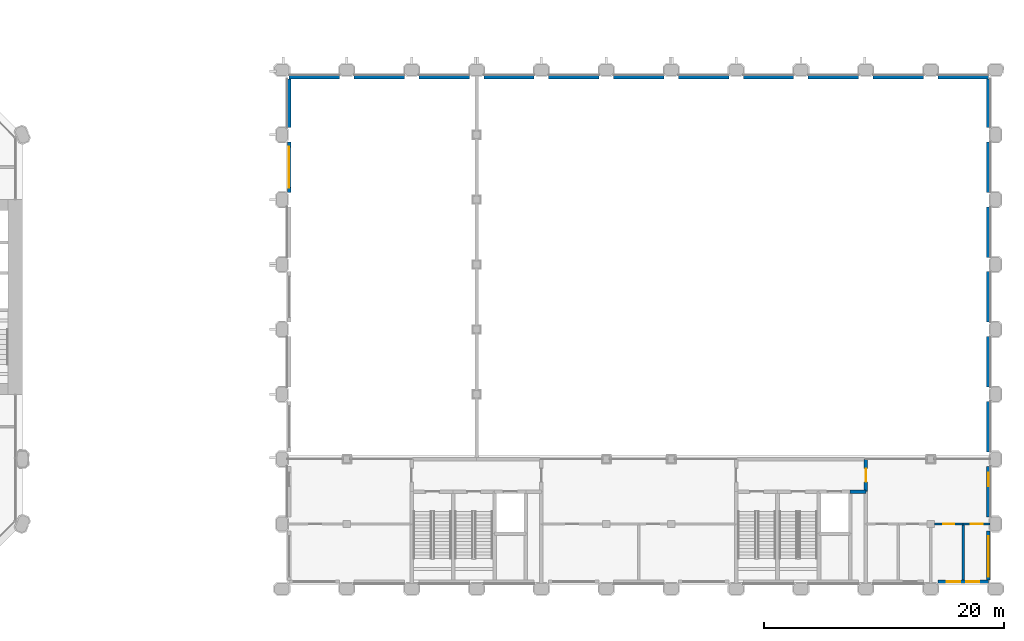
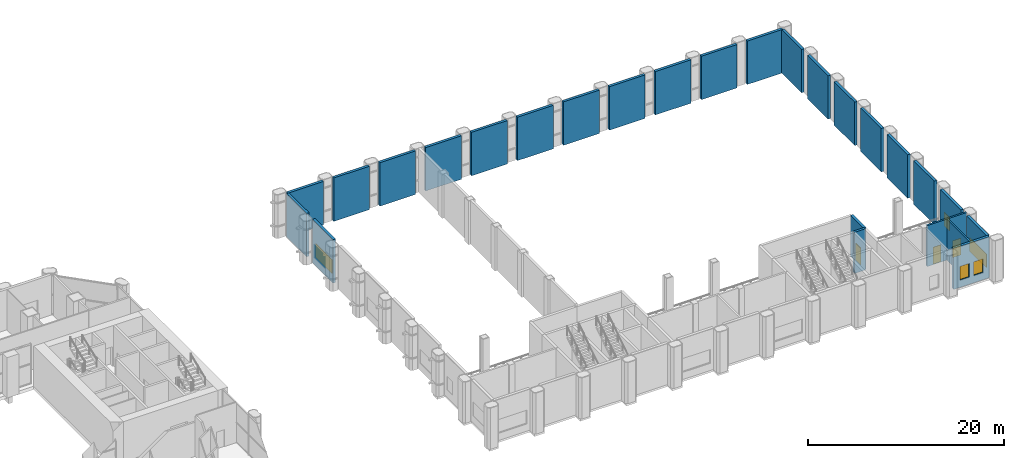
# One storey, part 16 of 27: 27 walls, 5 windows, 3 doors, 8 openings.
"""IFC4 building model written with IfcOpenShell, lengths in metres."""

import ifcopenshell
import ifcopenshell.guid

model = None  # the IFC model being written
_history = None  # IfcOwnerHistory: only IFC2X3 demands one
_inside = {}  # id of a spatial element -> (the spatial element, [elements in it])
_under = {}  # id of a project, library or spatial element -> (it, [spatial elements below it])
_declared = {}  # id of a project -> (the project, [libraries it declares])
_typed = {}  # id of a type object -> (the type object, [elements of that type])
_made_of = {}  # id of a material, layer set ... -> (it, [elements and type objects made of it])


def new_model(schema):
    """Start an empty IFC model of exactly this schema.

    Asked for "IFC4X3", IfcOpenShell would pick the latest addendum, in which some entities
    have other attributes; the version numbers below select the first issue.
    IFC2X3 requires an IfcOwnerHistory on every rooted entity: one is made here for all.
    """
    global model, _history
    if schema == "IFC4X3":
        model = ifcopenshell.file(schema_version=(4, 3, 0, 0))
    else:
        model = ifcopenshell.file(schema=schema)
    _inside.clear()
    _under.clear()
    _declared.clear()
    _typed.clear()
    _made_of.clear()
    _history = None
    if model.schema == "IFC2X3":
        org = make("IfcOrganization", Name="unknown")
        user = make(
            "IfcPersonAndOrganization",
            ThePerson=make("IfcPerson", FamilyName="unknown"),
            TheOrganization=org,
        )
        app = make(
            "IfcApplication",
            ApplicationDeveloper=org,
            Version="unknown",
            ApplicationFullName="unknown",
            ApplicationIdentifier="unknown",
        )
        _history = make(
            "IfcOwnerHistory",
            OwningUser=user,
            OwningApplication=app,
            ChangeAction="ADDED",
            CreationDate=0,
        )
    return model


def make(cls, **values):
    """One entity of the class cls with the attributes given. An attribute that is None is left unset."""
    return model.create_entity(
        cls, **{name: value for name, value in values.items() if value is not None}
    )


def rooted(cls, **values):
    """An entity with a GlobalId (a new one), such as an element, a storey or a relation."""
    return make(cls, GlobalId=ifcopenshell.guid.new(), OwnerHistory=_history, **values)


def si_unit(unit_type, name, prefix=None):
    """IfcSIUnit, for example si_unit("LENGTHUNIT", "METRE", prefix="MILLI")."""
    return make("IfcSIUnit", UnitType=unit_type, Prefix=prefix, Name=name)


def assignment(units):
    """IfcUnitAssignment: the units of a project."""
    return None if units is None else make("IfcUnitAssignment", Units=units)


def point(xyz):
    """IfcCartesianPoint."""
    return None if xyz is None else make("IfcCartesianPoint", Coordinates=xyz)


def direction(xyz):
    """IfcDirection."""
    return None if xyz is None else make("IfcDirection", DirectionRatios=xyz)


def frame(location, z_axis=None, x_axis=None):
    """IfcAxis2Placement3D, a coordinate frame: its origin and axes. An axis left out is left unset."""
    return make(
        "IfcAxis2Placement3D",
        Location=point(location),
        Axis=direction(z_axis),
        RefDirection=direction(x_axis),
    )


def frame_2d(location, x_axis=None):
    """IfcAxis2Placement2D, a coordinate frame in the plane: its origin and x axis."""
    return make(
        "IfcAxis2Placement2D", Location=point(location), RefDirection=direction(x_axis)
    )


def origin():
    """The frame at (0, 0, 0) with its axes left unset."""
    return frame((0.0, 0.0, 0.0))


def place(relative_to, where):
    """IfcLocalPlacement: puts the frame where relative to a parent placement (None: the world)."""
    return make(
        "IfcLocalPlacement", PlacementRelTo=relative_to, RelativePlacement=where
    )


def context(
    kind, dimensions, precision=None, world=None, true_north=None, identifier=None
):
    """IfcGeometricRepresentationContext, for example the 3D "Model" context."""
    return make(
        "IfcGeometricRepresentationContext",
        ContextIdentifier=identifier,
        ContextType=kind,
        CoordinateSpaceDimension=dimensions,
        Precision=precision,
        WorldCoordinateSystem=world,
        TrueNorth=true_north,
    )


def subcontext(parent, identifier, kind, view, scale=None):
    """IfcGeometricRepresentationSubContext, for example "Body" below "Model"."""
    return make(
        "IfcGeometricRepresentationSubContext",
        ContextIdentifier=identifier,
        ContextType=kind,
        ParentContext=parent,
        TargetScale=scale,
        TargetView=view,
    )


def project(units=None, contexts=None):
    """IfcProject with its units and contexts."""
    return rooted(
        "IfcProject",
        Name="project",
        RepresentationContexts=contexts,
        UnitsInContext=assignment(units),
    )


def spatial(cls, under=None, at=None, **own):
    """A site, building, storey or space (cls), placed at a placement, below another one or the project."""
    s = rooted(cls, ObjectPlacement=at, **own)
    if under is not None:
        _under.setdefault(under.id(), (under, []))[1].append(s)
    return s


def profile(cls, at=None, kind="AREA", **sizes):
    """A parametric profile (cls). Its sizes go by their IFC names, for example OverallWidth=200.0."""
    return make(cls, ProfileType=kind, Position=at, **sizes)


def rectangle(**sizes):
    """IfcRectangleProfileDef."""
    return profile("IfcRectangleProfileDef", **sizes)


def extrude(swept, where, along, depth):
    """IfcExtrudedAreaSolid: the profile swept, set in the frame where, extruded along a direction by depth."""
    return make(
        "IfcExtrudedAreaSolid",
        SweptArea=swept,
        Position=where,
        ExtrudedDirection=direction(along),
        Depth=depth,
    )


def shape(context_of_items, identifier, shape_type, items):
    """IfcShapeRepresentation: the items that make up one representation, for example the "Body"."""
    return make(
        "IfcShapeRepresentation",
        ContextOfItems=context_of_items,
        RepresentationIdentifier=identifier,
        RepresentationType=shape_type,
        Items=items,
    )


def material(Name=None, Category=None):
    """IfcMaterial."""
    return make("IfcMaterial", Name=Name, Category=Category)


def layer(
    of_material, thickness, ventilated=None, Name=None, Category=None, Priority=None
):
    """IfcMaterialLayer: one layer of a wall or slab, of a material (None: an air gap)."""
    return make(
        "IfcMaterialLayer",
        Material=of_material,
        LayerThickness=thickness,
        IsVentilated=ventilated,
        Name=Name,
        Category=Category,
        Priority=Priority,
    )


def layer_set(layers, Name=None):
    """IfcMaterialLayerSet."""
    return make("IfcMaterialLayerSet", MaterialLayers=layers, LayerSetName=Name)


def made_of(thing, what):
    """Note that an element or type object is made of a material, layer set ...; save() writes the relation."""
    if what is not None:
        _made_of.setdefault(what.id(), (what, []))[1].append(thing)
    return thing


def type_object(cls, material=None, **own):
    """A type object (cls), such as IfcWallType, which elements share."""
    return made_of(rooted(cls, **own), material)


def element(
    cls,
    number,
    at=None,
    inside=None,
    cuts=None,
    type_object=None,
    material=None,
    context=None,
    identifier="Body",
    shape_type=None,
    held_by="IfcProductDefinitionShape",
    body=None,
    shapes=None,
    **own,
):
    """One element of the class cls, such as IfcWall. Its Tag is "e" and its number.

    at: its placement. inside: the storey or other place that contains it. cuts: it is an
    opening in that element (IfcRelVoidsElement). A single representation is given by context,
    identifier, shape_type and body (its items); several are given by shapes. held_by: the class
    of the entity that holds the representations. save() writes the other relations.
    """
    e = rooted(cls, Tag="e%d" % number, ObjectPlacement=at, **own)
    if body is not None:
        shapes = [shape(context, identifier, shape_type, body)]
    if shapes is not None:
        e.Representation = make(held_by, Representations=shapes)
    if inside is not None:
        _inside.setdefault(inside.id(), (inside, []))[1].append(e)
    if cuts is not None:
        rooted(
            "IfcRelVoidsElement", RelatingBuildingElement=cuts, RelatedOpeningElement=e
        )
    if type_object is not None:
        _typed.setdefault(type_object.id(), (type_object, []))[1].append(e)
    return made_of(e, material)


def fill(opening, filler):
    """IfcRelFillsElement: the door or window that sits in an opening."""
    return rooted(
        "IfcRelFillsElement",
        RelatingOpeningElement=opening,
        RelatedBuildingElement=filler,
    )


def aggregate(whole, parts):
    """IfcRelAggregates: a whole, such as a stair, and the parts it consists of."""
    return rooted("IfcRelAggregates", RelatingObject=whole, RelatedObjects=parts)


def save(model, path):
    """Write the relations noted so far, then the file.

    IfcRelAggregates (storeys below a building ...), IfcRelContainedInSpatialStructure (elements
    in a storey), IfcRelDefinesByType, IfcRelAssociatesMaterial and IfcRelDeclares: one each for
    every whole, place, type object, material and project.
    """
    for whole, parts in _under.values():
        aggregate(whole, parts)
    for where, things in _inside.values():
        rooted(
            "IfcRelContainedInSpatialStructure",
            RelatedElements=things,
            RelatingStructure=where,
        )
    for kind, things in _typed.values():
        rooted("IfcRelDefinesByType", RelatedObjects=things, RelatingType=kind)
    for what, things in _made_of.values():
        rooted("IfcRelAssociatesMaterial", RelatedObjects=things, RelatingMaterial=what)
    for by, libraries in _declared.values():
        rooted("IfcRelDeclares", RelatingContext=by, RelatedDefinitions=libraries)
    model.write(path)


model = new_model("IFC4")

# Units and contexts
model_context = context("Model", 3, precision=1e-05, world=origin(), true_north=direction((0.0, 1.0)))
body_context = subcontext(model_context, "Body", "Model", "MODEL_VIEW")
ifc_project = project(units=[si_unit("LENGTHUNIT", "METRE"), si_unit("AREAUNIT", "SQUARE_METRE"), si_unit("VOLUMEUNIT", "CUBIC_METRE"), si_unit("PLANEANGLEUNIT", "RADIAN"), si_unit("MASSUNIT", "GRAM", prefix="KILO")], contexts=[model_context])

# Site, building, storey
site_placement = place(None, origin())
site = spatial("IfcSite", under=ifc_project, at=site_placement, CompositionType="ELEMENT")
building_placement = place(site_placement, origin())
building = spatial("IfcBuilding", under=site, at=building_placement, Name="Tabaq Tower and Sports Hall", CompositionType="ELEMENT")
storey_placement = place(building_placement, frame((0.0, 0.0, 14.39990234375)))
storey = spatial("IfcBuildingStorey", under=building, at=storey_placement, Name="L02", CompositionType="ELEMENT", Elevation=14.39990234375)

# Wall, opening, door
ifc_material_1 = material(Name="Concrete C50/60", Category="concrete")
ifc_layer_1 = layer(ifc_material_1, 0.300048828125)
ifc_layer_set_1 = layer_set([ifc_layer_1], Name="HALL CORE WALL RC 300 C50/60")
wall_type_1 = type_object("IfcWallType", Name="HALL CORE WALL RC 300 C50/60", PredefinedType="SHEAR", material=ifc_layer_set_1)
wall_1_placement = place(storey_placement, frame((113.39990234375, 8.10009765625, 0.0), z_axis=(0.0, 0.0, 1.0), x_axis=(0.0, 1.0, 0.0)))
wall_1 = element("IfcWall", 1, at=wall_1_placement, inside=storey, type_object=wall_type_1, Name="L02 core wall 018", PredefinedType="SHEAR", context=body_context, shape_type="SweptSolid", body=[
    extrude(rectangle(XDim=2.699951171875, YDim=0.300048828125, at=frame_2d((1.35009765625, 0.0))), origin(), (0.0, 0.0, 1.0), 5.10009765625),
])
opening_1_placement = place(wall_1_placement, frame((0.800048828125, 0.0, 0.0)))
opening_1 = element("IfcOpeningElement", 2, at=opening_1_placement, cuts=wall_1, Name="Opening HD058", PredefinedType="OPENING", context=body_context, shape_type="SweptSolid", body=[
    extrude(rectangle(XDim=1.10009765625, YDim=2.10009765625, at=frame_2d((0.550048828125, 1.050048828125))), frame((0.0, 0.14990234375, 0.0), z_axis=(0.0, -1.0, 0.0), x_axis=(1.0, 0.0, 0.0)), (0.0, 0.0, 1.0), 0.300048828125),
])
ifc_material_2 = material(Name="Steel fire door leaf in steel frame", Category="steel")
door_type_1 = type_object("IfcDoorType", Name="HALL FIRE DOOR 1100x2100", OperationType="SINGLE_SWING_LEFT", PredefinedType="DOOR", material=ifc_material_2)
door_1_placement = place(opening_1_placement, origin())
door_1 = element("IfcDoor", 3, at=door_1_placement, inside=storey, type_object=door_type_1, Name="Door HD058", OperationType="SINGLE_SWING_LEFT", OverallHeight=2.10009765625, OverallWidth=1.10009765625, PredefinedType="DOOR", context=body_context, shape_type="SweptSolid", body=[
    extrude(rectangle(XDim=1.10009765625, YDim=2.10009765625, at=frame_2d((0.550048828125, 1.050048828125))), frame((0.0, 0.02490234375, 0.0), z_axis=(0.0, -1.0, 0.0), x_axis=(1.0, 0.0, 0.0)), (0.0, 0.0, 1.0), 0.050048828125),
])
fill(opening_1, door_1)

# Wall
wall_2_placement = place(storey_placement, frame((112.10009765625, 8.10009765625, 0.0), z_axis=(0.0, 0.0, 1.0), x_axis=(1.0, 0.0, 0.0)))
element("IfcWall", 4, at=wall_2_placement, inside=storey, type_object=wall_type_1, Name="L02 core wall 048", PredefinedType="SHEAR", context=body_context, shape_type="SweptSolid", body=[
    extrude(rectangle(XDim=1.2998046875, YDim=0.300048828125, at=frame_2d((0.64990234375, 0.0))), origin(), (0.0, 0.0, 1.0), 5.10009765625),
])

# Wall, opening, door
ifc_material_3 = material(Name="Blockwork partition with plaster both faces", Category="masonry")
ifc_layer_2 = layer(ifc_material_3, 0.199951171875)
ifc_layer_set_2 = layer_set([ifc_layer_2], Name="HALL PARTITION 200")
wall_type_2 = type_object("IfcWallType", Name="HALL PARTITION 200", PredefinedType="PARTITIONING", material=ifc_layer_set_2)
wall_3_placement = place(storey_placement, frame((119.10009765625, 5.39990234375, 0.0), z_axis=(0.0, 0.0, 1.0), x_axis=(1.0, 0.0, 0.0)))
wall_3 = element("IfcWall", 5, at=wall_3_placement, inside=storey, type_object=wall_type_2, Name="L02 partition 015", PredefinedType="PARTITIONING", context=body_context, shape_type="SweptSolid", body=[
    extrude(rectangle(XDim=2.39990234375, YDim=0.199951171875, at=frame_2d((1.199951171875, 0.0))), origin(), (0.0, 0.0, 1.0), 5.10009765625),
])
opening_2_placement = place(wall_3_placement, frame((0.75, 0.0, 0.0)))
opening_2 = element("IfcOpeningElement", 6, at=opening_2_placement, cuts=wall_3, Name="Opening HD064", PredefinedType="OPENING", context=body_context, shape_type="SweptSolid", body=[
    extrude(rectangle(XDim=0.89990234375, YDim=2.10009765625, at=frame_2d((0.449951171875, 1.050048828125))), frame((0.0, 0.10009765625, 0.0), z_axis=(0.0, -1.0, 0.0), x_axis=(1.0, 0.0, 0.0)), (0.0, 0.0, 1.0), 0.199951171875),
])
ifc_material_4 = material(Name="Timber veneer door leaf in steel frame", Category="steel")
door_type_2 = type_object("IfcDoorType", Name="HALL DOOR SINGLE 900x2100", OperationType="SINGLE_SWING_LEFT", PredefinedType="DOOR", material=ifc_material_4)
door_2_placement = place(opening_2_placement, origin())
door_2 = element("IfcDoor", 7, at=door_2_placement, inside=storey, type_object=door_type_2, Name="Door HD064", OperationType="SINGLE_SWING_LEFT", OverallHeight=2.10009765625, OverallWidth=0.89990234375, PredefinedType="DOOR", context=body_context, shape_type="SweptSolid", body=[
    extrude(rectangle(XDim=0.89990234375, YDim=2.10009765625, at=frame_2d((0.449951171875, 1.050048828125))), frame((0.0, 0.02490234375, 0.0), z_axis=(0.0, -1.0, 0.0), x_axis=(1.0, 0.0, 0.0)), (0.0, 0.0, 1.0), 0.050048828125),
])
fill(opening_2, door_2)

wall_4_placement = place(storey_placement, frame((121.5, 5.39990234375, 0.0), z_axis=(0.0, 0.0, 1.0), x_axis=(1.0, 0.0, 0.0)))
wall_4 = element("IfcWall", 8, at=wall_4_placement, inside=storey, type_object=wall_type_2, Name="L02 partition 016", PredefinedType="PARTITIONING", context=body_context, shape_type="SweptSolid", body=[
    extrude(rectangle(XDim=2.25, YDim=0.199951171875, at=frame_2d((1.125, 0.0))), origin(), (0.0, 0.0, 1.0), 5.10009765625),
])
opening_3_placement = place(wall_4_placement, frame((0.625, 0.0, 0.0)))
opening_3 = element("IfcOpeningElement", 9, at=opening_3_placement, cuts=wall_4, Name="Opening HD065", PredefinedType="OPENING", context=body_context, shape_type="SweptSolid", body=[
    extrude(rectangle(XDim=1.0, YDim=2.10009765625, at=frame_2d((0.5, 1.050048828125))), frame((0.0, 0.10009765625, 0.0), z_axis=(0.0, -1.0, 0.0), x_axis=(1.0, 0.0, 0.0)), (0.0, 0.0, 1.0), 0.199951171875),
])
ifc_material_5 = material(Name="Timber veneer door leaf in steel frame", Category="steel")
door_type_3 = type_object("IfcDoorType", Name="HALL DOOR SINGLE 1000x2100", OperationType="SINGLE_SWING_LEFT", PredefinedType="DOOR", material=ifc_material_5)
door_3_placement = place(opening_3_placement, origin())
door_3 = element("IfcDoor", 10, at=door_3_placement, inside=storey, type_object=door_type_3, Name="Door HD065", OperationType="SINGLE_SWING_LEFT", OverallHeight=2.10009765625, OverallWidth=1.0, PredefinedType="DOOR", context=body_context, shape_type="SweptSolid", body=[
    extrude(rectangle(XDim=1.0, YDim=2.10009765625, at=frame_2d((0.5, 1.050048828125))), frame((0.0, 0.02490234375, 0.0), z_axis=(0.0, -1.0, 0.0), x_axis=(1.0, 0.0, 0.0)), (0.0, 0.0, 1.0), 0.050048828125),
])
fill(opening_3, door_3)

# Wall
wall_5_placement = place(storey_placement, frame((121.5, 0.75, 0.0), z_axis=(0.0, 0.0, 1.0), x_axis=(0.0, 1.0, 0.0)))
element("IfcWall", 11, at=wall_5_placement, inside=storey, type_object=wall_type_2, Name="L02 partition 026", PredefinedType="PARTITIONING", context=body_context, shape_type="SweptSolid", body=[
    extrude(rectangle(XDim=4.64990234375, YDim=0.199951171875, at=frame_2d((2.324951171875, 0.0))), origin(), (0.0, 0.0, 1.0), 5.10009765625),
])

# Wall, openings, windows
ifc_material_6 = material(Name="White precast concrete C60/75", Category="concrete")
ifc_layer_3 = layer(ifc_material_6, 0.300048828125)
ifc_layer_set_3 = layer_set([ifc_layer_3], Name="White precast concrete C60/75 external wall 300")
wall_type_3 = type_object("IfcWallType", Name="White precast concrete C60/75 external wall 300", PredefinedType="SOLIDWALL", material=ifc_layer_set_3)
wall_6_placement = place(storey_placement, frame((119.39990234375, 0.60009765625, 0.0), z_axis=(0.0, 0.0, 1.0), x_axis=(1.0, 0.0, 0.0)))
wall_6 = element("IfcWall", 12, at=wall_6_placement, inside=storey, type_object=wall_type_3, Name="L02 S facade panel", PredefinedType="SOLIDWALL", context=body_context, shape_type="SweptSolid", body=[
    extrude(rectangle(XDim=4.2001953125, YDim=0.300048828125, at=frame_2d((2.10009765625, 0.0))), origin(), (0.0, 0.0, 1.0), 5.10009765625),
])
opening_4_placement = place(wall_6_placement, frame((0.75, 0.0, 0.89990234375)))
opening_4 = element("IfcOpeningElement", 13, at=opening_4_placement, cuts=wall_6, Name="Opening HW022", PredefinedType="OPENING", context=body_context, shape_type="SweptSolid", body=[
    extrude(rectangle(XDim=1.10009765625, YDim=1.699951171875, at=frame_2d((0.550048828125, 0.85009765625))), frame((0.0, 0.14990234375, 0.0), z_axis=(0.0, -1.0, 0.0), x_axis=(1.0, 0.0, 0.0)), (0.0, 0.0, 1.0), 0.300048828125),
])
opening_5_placement = place(wall_6_placement, frame((2.35009765625, 0.0, 0.89990234375)))
opening_5 = element("IfcOpeningElement", 14, at=opening_5_placement, cuts=wall_6, Name="Opening HW023", PredefinedType="OPENING", context=body_context, shape_type="SweptSolid", body=[
    extrude(rectangle(XDim=1.10009765625, YDim=1.699951171875, at=frame_2d((0.550048828125, 0.85009765625))), frame((0.0, 0.14990234375, 0.0), z_axis=(0.0, -1.0, 0.0), x_axis=(1.0, 0.0, 0.0)), (0.0, 0.0, 1.0), 0.300048828125),
])
ifc_material_7 = material(Name="Aluminium framed clear glazing", Category="aluminium")
window_type_1 = type_object("IfcWindowType", Name="Window W1B", PartitioningType="SINGLE_PANEL", PredefinedType="WINDOW", material=ifc_material_7)
window_1_placement = place(opening_4_placement, origin())
window_1 = element("IfcWindow", 15, at=window_1_placement, inside=storey, type_object=window_type_1, Name="Window HW022", OverallHeight=1.699951171875, OverallWidth=1.10009765625, PartitioningType="SINGLE_PANEL", PredefinedType="WINDOW", context=body_context, shape_type="SweptSolid", body=[
    extrude(rectangle(XDim=1.10009765625, YDim=1.699951171875, at=frame_2d((0.550048828125, 0.85009765625))), frame((0.0, 0.030029296875, 0.0), z_axis=(0.0, -1.0, 0.0), x_axis=(1.0, 0.0, 0.0)), (0.0, 0.0, 1.0), 0.06005859375),
])
fill(opening_4, window_1)
window_2_placement = place(opening_5_placement, origin())
window_2 = element("IfcWindow", 16, at=window_2_placement, inside=storey, type_object=window_type_1, Name="Window HW023", OverallHeight=1.699951171875, OverallWidth=1.10009765625, PartitioningType="SINGLE_PANEL", PredefinedType="WINDOW", context=body_context, shape_type="SweptSolid", body=[
    extrude(rectangle(XDim=1.10009765625, YDim=1.699951171875, at=frame_2d((0.550048828125, 0.85009765625))), frame((0.0, 0.030029296875, 0.0), z_axis=(0.0, -1.0, 0.0), x_axis=(1.0, 0.0, 0.0)), (0.0, 0.0, 1.0), 0.06005859375),
])
fill(opening_5, window_2)

# Walls
wall_7_placement = place(storey_placement, frame((65.39990234375, 42.60009765625, 0.0), z_axis=(0.0, 0.0, 1.0), x_axis=(1.0, 0.0, 0.0)))
element("IfcWall", 17, at=wall_7_placement, inside=storey, type_object=wall_type_3, Name="L02 N facade panel", PredefinedType="SOLIDWALL", context=body_context, shape_type="SweptSolid", body=[
    extrude(rectangle(XDim=4.2001953125, YDim=0.300048828125, at=frame_2d((2.10009765625, 0.0))), origin(), (0.0, 0.0, 1.0), 5.400146484375),
])
for number, where, z_axis, x_axis, name in (
    (18, (70.800048828125, 42.60009765625, 0.0), (0.0, 0.0, 1.0), (1.0, 0.0, 0.0), "L02 N facade panel"),
    (19, (76.199951171875, 42.60009765625, 0.0), (0.0, 0.0, 1.0), (1.0, 0.0, 0.0), "L02 N facade panel"),
    (20, (81.60009765625, 42.60009765625, 0.0), (0.0, 0.0, 1.0), (1.0, 0.0, 0.0), "L02 N facade panel"),
    (21, (87.0, 42.60009765625, 0.0), (0.0, 0.0, 1.0), (1.0, 0.0, 0.0), "L02 N facade panel"),
):
    element("IfcWall", number, at=place(storey_placement, frame(where, z_axis=z_axis, x_axis=x_axis)), inside=storey, type_object=wall_type_3, Name=name, PredefinedType="SOLIDWALL", context=body_context, shape_type="SweptSolid", body=[
        extrude(rectangle(XDim=4.199951171875, YDim=0.300048828125, at=frame_2d((2.10009765625, 0.0))), origin(), (0.0, 0.0, 1.0), 5.400146484375),
    ])
wall_8_placement = place(storey_placement, frame((92.39990234375, 42.60009765625, 0.0), z_axis=(0.0, 0.0, 1.0), x_axis=(1.0, 0.0, 0.0)))
element("IfcWall", 22, at=wall_8_placement, inside=storey, type_object=wall_type_3, Name="L02 N facade panel", PredefinedType="SOLIDWALL", context=body_context, shape_type="SweptSolid", body=[
    extrude(rectangle(XDim=4.2001953125, YDim=0.300048828125, at=frame_2d((2.10009765625, 0.0))), origin(), (0.0, 0.0, 1.0), 5.400146484375),
])
for number, where, z_axis, x_axis, name in (
    (23, (97.800048828125, 42.60009765625, 0.0), (0.0, 0.0, 1.0), (1.0, 0.0, 0.0), "L02 N facade panel"),
    (24, (103.199951171875, 42.60009765625, 0.0), (0.0, 0.0, 1.0), (1.0, 0.0, 0.0), "L02 N facade panel"),
    (25, (108.60009765625, 42.60009765625, 0.0), (0.0, 0.0, 1.0), (1.0, 0.0, 0.0), "L02 N facade panel"),
    (26, (114.0, 42.60009765625, 0.0), (0.0, 0.0, 1.0), (1.0, 0.0, 0.0), "L02 N facade panel"),
):
    element("IfcWall", number, at=place(storey_placement, frame(where, z_axis=z_axis, x_axis=x_axis)), inside=storey, type_object=wall_type_3, Name=name, PredefinedType="SOLIDWALL", context=body_context, shape_type="SweptSolid", body=[
        extrude(rectangle(XDim=4.199951171875, YDim=0.300048828125, at=frame_2d((2.10009765625, 0.0))), origin(), (0.0, 0.0, 1.0), 5.400146484375),
    ])
wall_9_placement = place(storey_placement, frame((119.39990234375, 42.60009765625, 0.0), z_axis=(0.0, 0.0, 1.0), x_axis=(1.0, 0.0, 0.0)))
element("IfcWall", 27, at=wall_9_placement, inside=storey, type_object=wall_type_3, Name="L02 N facade panel", PredefinedType="SOLIDWALL", context=body_context, shape_type="SweptSolid", body=[
    extrude(rectangle(XDim=4.2001953125, YDim=0.300048828125, at=frame_2d((2.10009765625, 0.0))), origin(), (0.0, 0.0, 1.0), 5.400146484375),
])

# Wall, opening, window
wall_10_placement = place(storey_placement, frame((65.39990234375, 33.0, 0.0), z_axis=(0.0, 0.0, 1.0), x_axis=(0.0, 1.0, 0.0)))
wall_10 = element("IfcWall", 28, at=wall_10_placement, inside=storey, type_object=wall_type_3, Name="L02 W facade panel", PredefinedType="SOLIDWALL", context=body_context, shape_type="SweptSolid", body=[
    extrude(rectangle(XDim=4.199951171875, YDim=0.300048828125, at=frame_2d((2.10009765625, 0.0))), origin(), (0.0, 0.0, 1.0), 5.400146484375),
])
opening_6_placement = place(wall_10_placement, frame((0.39990234375, 0.0, 0.89990234375)))
opening_6 = element("IfcOpeningElement", 29, at=opening_6_placement, cuts=wall_10, Name="Opening HW036", PredefinedType="OPENING", context=body_context, shape_type="SweptSolid", body=[
    extrude(rectangle(XDim=3.39990234375, YDim=1.699951171875, at=frame_2d((1.699951171875, 0.85009765625))), frame((0.0, 0.14990234375, 0.0), z_axis=(0.0, -1.0, 0.0), x_axis=(1.0, 0.0, 0.0)), (0.0, 0.0, 1.0), 0.300048828125),
])
ifc_material_8 = material(Name="Aluminium framed clear glazing", Category="aluminium")
window_type_2 = type_object("IfcWindowType", Name="Window W1A", PartitioningType="SINGLE_PANEL", PredefinedType="WINDOW", material=ifc_material_8)
window_3_placement = place(opening_6_placement, origin())
window_3 = element("IfcWindow", 30, at=window_3_placement, inside=storey, type_object=window_type_2, Name="Window HW036", OverallHeight=1.699951171875, OverallWidth=3.39990234375, PartitioningType="SINGLE_PANEL", PredefinedType="WINDOW", context=body_context, shape_type="SweptSolid", body=[
    extrude(rectangle(XDim=3.39990234375, YDim=1.699951171875, at=frame_2d((1.699951171875, 0.85009765625))), frame((0.0, 0.030029296875, 0.0), z_axis=(0.0, -1.0, 0.0), x_axis=(1.0, 0.0, 0.0)), (0.0, 0.0, 1.0), 0.06005859375),
])
fill(opening_6, window_3)

# Wall
wall_11_placement = place(storey_placement, frame((65.39990234375, 38.39990234375, 0.0), z_axis=(0.0, 0.0, 1.0), x_axis=(0.0, 1.0, 0.0)))
element("IfcWall", 31, at=wall_11_placement, inside=storey, type_object=wall_type_3, Name="L02 W facade panel", PredefinedType="SOLIDWALL", context=body_context, shape_type="SweptSolid", body=[
    extrude(rectangle(XDim=4.050048828125, YDim=0.300048828125, at=frame_2d((2.02490234375, 0.0))), origin(), (0.0, 0.0, 1.0), 5.400146484375),
])

# Wall, opening, window
wall_12_placement = place(storey_placement, frame((123.60009765625, 0.75, 0.0), z_axis=(0.0, 0.0, 1.0), x_axis=(0.0, 1.0, 0.0)))
wall_12 = element("IfcWall", 32, at=wall_12_placement, inside=storey, type_object=wall_type_3, Name="L02 E facade panel", PredefinedType="SOLIDWALL", context=body_context, shape_type="SweptSolid", body=[
    extrude(rectangle(XDim=4.050048828125, YDim=0.300048828125, at=frame_2d((2.02490234375, 0.0))), origin(), (0.0, 0.0, 1.0), 5.10009765625),
])
opening_7_placement = place(wall_12_placement, frame((0.25, 0.0, 0.89990234375)))
opening_7 = element("IfcOpeningElement", 33, at=opening_7_placement, cuts=wall_12, Name="Opening HW039", PredefinedType="OPENING", context=body_context, shape_type="SweptSolid", body=[
    extrude(rectangle(XDim=3.39990234375, YDim=1.699951171875, at=frame_2d((1.699951171875, 0.85009765625))), frame((0.0, 0.14990234375, 0.0), z_axis=(0.0, -1.0, 0.0), x_axis=(1.0, 0.0, 0.0)), (0.0, 0.0, 1.0), 0.300048828125),
])
window_4_placement = place(opening_7_placement, origin())
window_4 = element("IfcWindow", 34, at=window_4_placement, inside=storey, type_object=window_type_2, Name="Window HW039", OverallHeight=1.699951171875, OverallWidth=3.39990234375, PartitioningType="SINGLE_PANEL", PredefinedType="WINDOW", context=body_context, shape_type="SweptSolid", body=[
    extrude(rectangle(XDim=3.39990234375, YDim=1.699951171875, at=frame_2d((1.699951171875, 0.85009765625))), frame((0.0, 0.030029296875, 0.0), z_axis=(0.0, -1.0, 0.0), x_axis=(1.0, 0.0, 0.0)), (0.0, 0.0, 1.0), 0.06005859375),
])
fill(opening_7, window_4)

wall_13_placement = place(storey_placement, frame((123.60009765625, 6.0, 0.0), z_axis=(0.0, 0.0, 1.0), x_axis=(0.0, 1.0, 0.0)))
wall_13 = element("IfcWall", 35, at=wall_13_placement, inside=storey, type_object=wall_type_3, Name="L02 E facade panel", PredefinedType="SOLIDWALL", context=body_context, shape_type="SweptSolid", body=[
    extrude(rectangle(XDim=4.199951171875, YDim=0.300048828125, at=frame_2d((2.10009765625, 0.0))), origin(), (0.0, 0.0, 1.0), 5.10009765625),
])
opening_8_placement = place(wall_13_placement, frame((2.550048828125, 0.0, 0.89990234375)))
opening_8 = element("IfcOpeningElement", 36, at=opening_8_placement, cuts=wall_13, Name="Opening HW042", PredefinedType="OPENING", context=body_context, shape_type="SweptSolid", body=[
    extrude(rectangle(XDim=1.10009765625, YDim=1.699951171875, at=frame_2d((0.550048828125, 0.85009765625))), frame((0.0, 0.14990234375, 0.0), z_axis=(0.0, -1.0, 0.0), x_axis=(1.0, 0.0, 0.0)), (0.0, 0.0, 1.0), 0.300048828125),
])
window_5_placement = place(opening_8_placement, origin())
window_5 = element("IfcWindow", 37, at=window_5_placement, inside=storey, type_object=window_type_1, Name="Window HW042", OverallHeight=1.699951171875, OverallWidth=1.10009765625, PartitioningType="SINGLE_PANEL", PredefinedType="WINDOW", context=body_context, shape_type="SweptSolid", body=[
    extrude(rectangle(XDim=1.10009765625, YDim=1.699951171875, at=frame_2d((0.550048828125, 0.85009765625))), frame((0.0, 0.030029296875, 0.0), z_axis=(0.0, -1.0, 0.0), x_axis=(1.0, 0.0, 0.0)), (0.0, 0.0, 1.0), 0.06005859375),
])
fill(opening_8, window_5)

# Walls
wall_14_placement = place(storey_placement, frame((123.60009765625, 11.39990234375, 0.0), z_axis=(0.0, 0.0, 1.0), x_axis=(0.0, 1.0, 0.0)))
element("IfcWall", 38, at=wall_14_placement, inside=storey, type_object=wall_type_3, Name="L02 E facade panel", PredefinedType="SOLIDWALL", context=body_context, shape_type="SweptSolid", body=[
    extrude(rectangle(XDim=4.2001953125, YDim=0.300048828125, at=frame_2d((2.10009765625, 0.0))), origin(), (0.0, 0.0, 1.0), 5.400146484375),
])
for number, where, z_axis, x_axis, name in (
    (39, (123.60009765625, 16.800048828125, 0.0), (0.0, 0.0, 1.0), (0.0, 1.0, 0.0), "L02 E facade panel"),
    (40, (123.60009765625, 22.199951171875, 0.0), (0.0, 0.0, 1.0), (0.0, 1.0, 0.0), "L02 E facade panel"),
    (41, (123.60009765625, 27.60009765625, 0.0), (0.0, 0.0, 1.0), (0.0, 1.0, 0.0), "L02 E facade panel"),
    (42, (123.60009765625, 33.0, 0.0), (0.0, 0.0, 1.0), (0.0, 1.0, 0.0), "L02 E facade panel"),
):
    element("IfcWall", number, at=place(storey_placement, frame(where, z_axis=z_axis, x_axis=x_axis)), inside=storey, type_object=wall_type_3, Name=name, PredefinedType="SOLIDWALL", context=body_context, shape_type="SweptSolid", body=[
        extrude(rectangle(XDim=4.199951171875, YDim=0.300048828125, at=frame_2d((2.10009765625, 0.0))), origin(), (0.0, 0.0, 1.0), 5.400146484375),
    ])
wall_15_placement = place(storey_placement, frame((123.60009765625, 38.39990234375, 0.0), z_axis=(0.0, 0.0, 1.0), x_axis=(0.0, 1.0, 0.0)))
element("IfcWall", 43, at=wall_15_placement, inside=storey, type_object=wall_type_3, Name="L02 E facade panel", PredefinedType="SOLIDWALL", context=body_context, shape_type="SweptSolid", body=[
    extrude(rectangle(XDim=4.050048828125, YDim=0.300048828125, at=frame_2d((2.02490234375, 0.0))), origin(), (0.0, 0.0, 1.0), 5.400146484375),
])

save(model, "model.ifc")
